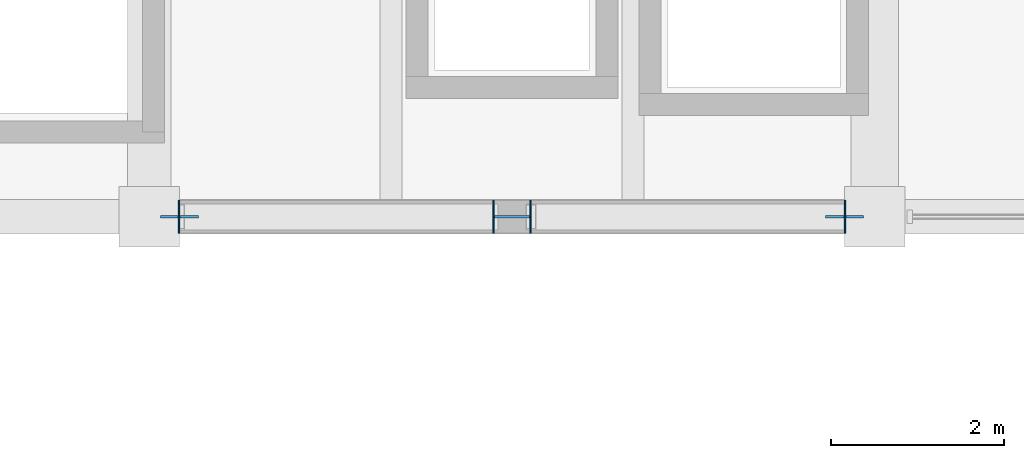
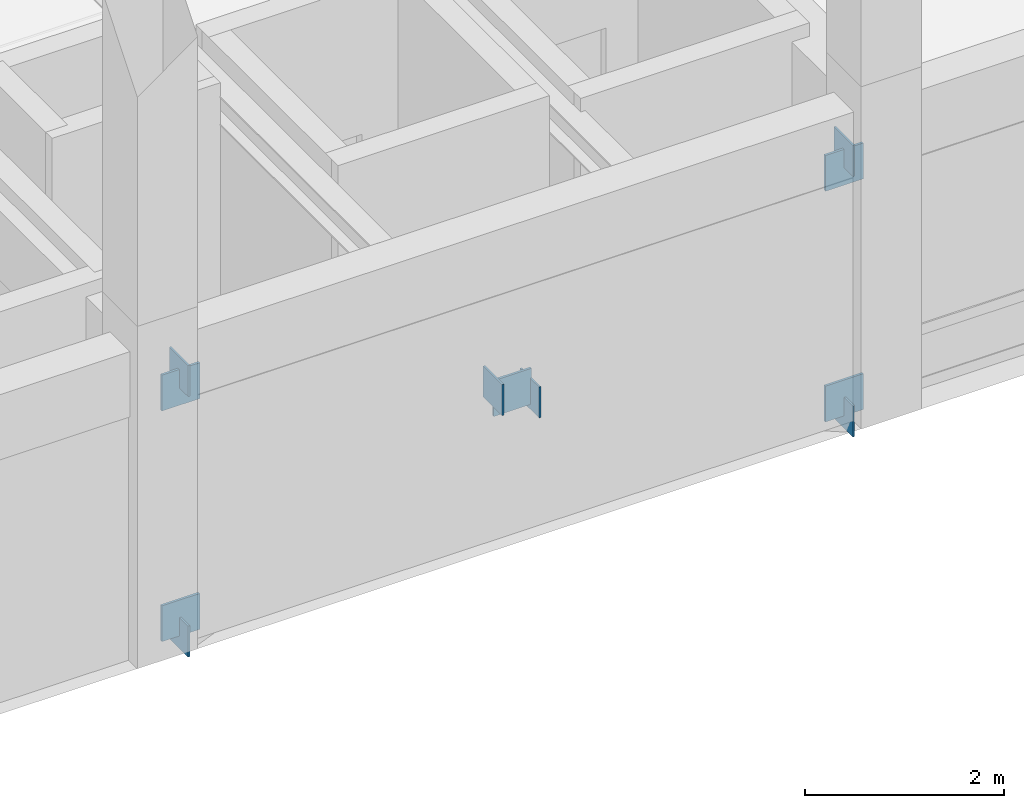
# One storey, part 80 of 132: 11 plates.
"""IFC4 building model written with IfcOpenShell, lengths in metres."""

from ifc_helpers import new_model, si_unit, direction, frame, origin, origin_2d, place, context, subcontext, project, spatial, rectangle, extrude, material, layer, layer_set, type_object, element, save


model = new_model("IFC4")

# Units and contexts
model_context = context("Model", 3, precision=1e-05, world=origin(), true_north=direction((0.0, 1.0)))
body_context = subcontext(model_context, "Body", "Model", "MODEL_VIEW")
ifc_project = project(units=[si_unit("LENGTHUNIT", "METRE"), si_unit("AREAUNIT", "SQUARE_METRE"), si_unit("VOLUMEUNIT", "CUBIC_METRE"), si_unit("PLANEANGLEUNIT", "RADIAN"), si_unit("MASSUNIT", "GRAM", prefix="KILO")], contexts=[model_context])

# Site, building, storey
site_placement = place(None, origin())
site = spatial("IfcSite", under=ifc_project, at=site_placement, CompositionType="ELEMENT")
building_placement = place(site_placement, origin())
building = spatial("IfcBuilding", under=site, at=building_placement, Name="Cumbredor Promenade Congress Hotel", CompositionType="ELEMENT")
storey_placement = place(building_placement, frame((0.0, 0.0, 7.56005859375)))
storey = spatial("IfcBuildingStorey", under=building, at=storey_placement, Name="L02", CompositionType="ELEMENT", Elevation=7.56005859375)

# Plates
ifc_material = material(Name="Steel ASTM A572 Grade 50", Category="steel")
ifc_layer_1 = layer(ifc_material, 0.02001953125, Name="Steel ASTM A572 Grade 50", Category="steel")
ifc_layer_set_1 = layer_set([ifc_layer_1], Name="Steel ASTM A572 Grade 50")
plate_type_1 = type_object("IfcPlateType", Name="Hollow Section End Cap Plate CP-04", PredefinedType="USERDEFINED", material=ifc_layer_set_1)
for number, where, z_axis, x_axis, name in (
    (1, (151.542724609375, 8.39990234375, -0.193115234375), (0.0, 0.0, 1.0), (1.0, 0.0, 0.0), "L02 X-Brace Continuous Diagonal 19A Start Cap Plate"),
    (2, (159.25732421875, 8.39990234375, 3.003173828125), (0.0, 0.0, 1.0), (1.0, 0.0, 0.0), "L02 X-Brace Continuous Diagonal 19A End Cap Plate"),
    (3, (159.25732421875, 8.39990234375, -0.193115234375), (0.0, 0.0, 1.0), (-1.0, 0.0, 0.0), "L02 X-Brace Lower Split Diagonal 19B1 Start Cap Plate"),
    (4, (155.6142578125, 8.39990234375, 1.316162109375), (0.0, 0.0, 1.0), (-1.0, 0.0, 0.0), "L02 X-Brace Lower Split Diagonal 19B1 End Cap Plate"),
    (5, (155.185791015625, 8.39990234375, 1.493896484375), (0.0, 0.0, 1.0), (-1.0, 0.0, 0.0), "L02 X-Brace Upper Split Diagonal 19B2 Start Cap Plate"),
    (6, (151.542724609375, 8.39990234375, 3.003173828125), (0.0, 0.0, 1.0), (-1.0, 0.0, 0.0), "L02 X-Brace Upper Split Diagonal 19B2 End Cap Plate"),
):
    element("IfcPlate", number, at=place(storey_placement, frame(where, z_axis=z_axis, x_axis=x_axis)), inside=storey, type_object=plate_type_1, Name=name, ObjectType="CAP PLATE", PredefinedType="USERDEFINED", context=body_context, shape_type="SweptSolid", body=[
        extrude(rectangle(XDim=0.02001953125, YDim=0.3798828125, at=origin_2d()), origin(), (0.0, 0.0, 1.0), 0.3798828125),
    ])
ifc_layer_2 = layer(ifc_material, 0.028076171875, Name="Steel ASTM A572 Grade 50", Category="steel")
ifc_layer_set_2 = layer_set([ifc_layer_2], Name="Steel ASTM A572 Grade 50")
plate_type_2 = type_object("IfcPlateType", Name="Space Frame Node Assembly ND-03", PredefinedType="USERDEFINED", material=ifc_layer_set_2)
for number, where, z_axis, x_axis, name in (
    (7, (151.550048828125, 8.39990234375, -0.0400390625), (0.0, 0.0, 1.0), (1.0, 0.0, 0.0), "L02 Seismic Frame Gusset Plate 19-BL"),
    (8, (159.25, 8.39990234375, -0.0400390625), (0.0, 0.0, 1.0), (1.0, 0.0, 0.0), "L02 Seismic Frame Gusset Plate 19-BR"),
    (9, (151.550048828125, 8.39990234375, 2.7900390625), (0.0, 0.0, 1.0), (1.0, 0.0, 0.0), "L02 Seismic Frame Gusset Plate 19-TL"),
    (10, (159.25, 8.39990234375, 2.7900390625), (0.0, 0.0, 1.0), (1.0, 0.0, 0.0), "L02 Seismic Frame Gusset Plate 19-TR"),
    (11, (155.39990234375, 8.39990234375, 1.375), (0.0, 0.0, 1.0), (1.0, 0.0, 0.0), "L02 X-Brace Central Crossing Gusset Plate 19"),
):
    element("IfcPlate", number, at=place(storey_placement, frame(where, z_axis=z_axis, x_axis=x_axis)), inside=storey, type_object=plate_type_2, Name=name, ObjectType="GUSSET PLATE", PredefinedType="USERDEFINED", context=body_context, shape_type="SweptSolid", body=[
        extrude(rectangle(XDim=0.43994140625, YDim=0.028076171875, at=origin_2d()), origin(), (0.0, 0.0, 1.0), 0.43994140625),
    ])

save(model, "model.ifc")
